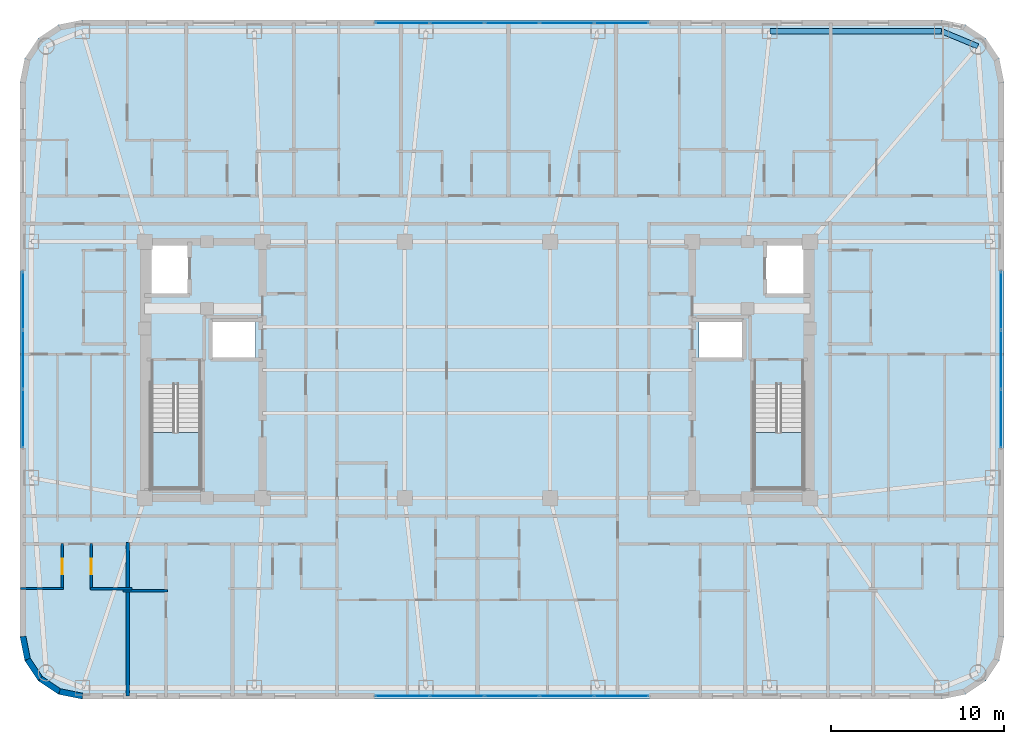
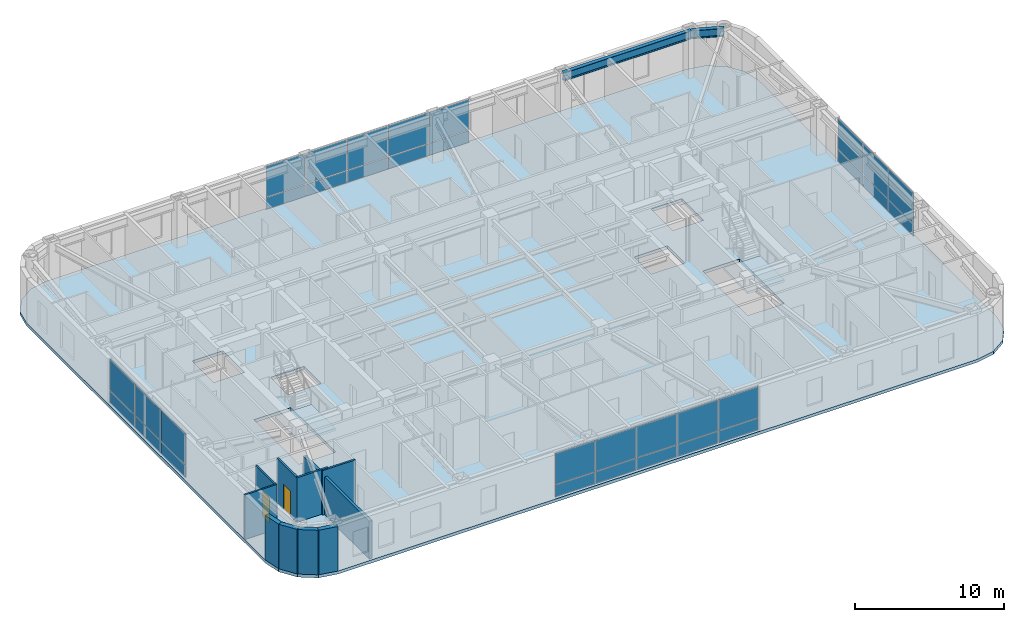
# One storey, part 20 of 29: 32 plates, 10 walls, 3 slabs, 2 beams, 2 doors, 2 openings, 6 elements without a shape of their own.
"""IFC4 building model written with IfcOpenShell, lengths in metres."""

from ifc_helpers import new_model, si_unit, direction, frame, frame_2d, origin, origin_2d, place, context, subcontext, project, spatial, polyline, rectangle, i_section, outline, extrude, material, layer, layer_set, material_profile, profile_set, type_object, element, fill, aggregate, save


model = new_model("IFC4")

# Units and contexts
model_context = context("Model", 3, precision=1e-05, world=origin(), true_north=direction((0.0, 1.0)))
body_context = subcontext(model_context, "Body", "Model", "MODEL_VIEW")
ifc_project = project(units=[si_unit("LENGTHUNIT", "METRE"), si_unit("AREAUNIT", "SQUARE_METRE"), si_unit("VOLUMEUNIT", "CUBIC_METRE"), si_unit("PLANEANGLEUNIT", "RADIAN"), si_unit("MASSUNIT", "GRAM", prefix="KILO")], contexts=[model_context])

# Site, building, storey
site_placement = place(None, origin())
site = spatial("IfcSite", under=ifc_project, at=site_placement, CompositionType="ELEMENT")
building_placement = place(site_placement, origin())
building = spatial("IfcBuilding", under=site, at=building_placement, Name="Voryun Gate Residences", CompositionType="ELEMENT")
storey_placement = place(building_placement, frame((0.0, 0.0, 211.89990234375)))
storey = spatial("IfcBuildingStorey", under=building, at=storey_placement, Name="L52", CompositionType="ELEMENT", Elevation=211.89990234375)

# Beams
ifc_material_1 = material(Name="Steel SM355", Category="steel")
ifc_material_profile = material_profile(ifc_material_1, i_section(OverallWidth=0.300048828125, OverallDepth=0.679931640625, WebThickness=0.013916015625, FlangeThickness=0.02490234375, FilletRadius=0.01806640625, at=origin_2d()), Name="H-680x300x14x25")
ifc_profile_set = profile_set([ifc_material_profile], Name="Steel SM355")
beam_type = type_object("IfcBeamType", Name="BM_EXO_SPANDREL_M", PredefinedType="SPANDREL", material=ifc_profile_set)
beam_1_placement = place(storey_placement, frame((28.885986328125, 18.68603515625, 3.31005859375), z_axis=(-0.923881087602, 0.382679678022, 0.0), x_axis=(-0.382679678022, -0.923881087602, 0.0)))
element("IfcBeam", 1, at=beam_1_placement, inside=storey, type_object=beam_type, Name="BM-L52-SPAND-10", PredefinedType="SPANDREL", context=body_context, shape_type="SweptSolid", body=[
    extrude(i_section(OverallWidth=0.300048828125, OverallDepth=0.679931640625, WebThickness=0.013916015625, FlangeThickness=0.02490234375, FilletRadius=0.01806640625, at=origin_2d()), origin(), (0.0, 0.0, 1.0), 2.2578125),
])
beam_2_placement = place(storey_placement, frame((26.800048828125, 19.550048828125, 3.31005859375), z_axis=(-1.0, 0.0, 0.0), x_axis=(0.0, -1.0, 0.0)))
element("IfcBeam", 2, at=beam_2_placement, inside=storey, type_object=beam_type, Name="BM-L52-SPAND-11", PredefinedType="SPANDREL", context=body_context, shape_type="SweptSolid", body=[
    extrude(i_section(OverallWidth=0.300048828125, OverallDepth=0.679931640625, WebThickness=0.013916015625, FlangeThickness=0.02490234375, FilletRadius=0.01806640625, at=origin_2d()), origin(), (0.0, 0.0, 1.0), 9.920166015625),
])

# Curtain wall, plates
ifc_material_2 = material(Name="Anodised aluminium", Category="aluminium")
ifc_layer_1 = layer(ifc_material_2, 0.18994140625, Name="CW_SYS_RES_B_DARK_GLASS")
ifc_layer_set_1 = layer_set([ifc_layer_1], Name="Anodised aluminium")
curtain_wall_type = type_object("IfcCurtainWallType", Name="CW_SYS_RES_B_DARK_GLASS", PredefinedType="NOTDEFINED", material=ifc_layer_set_1)
curtain_wall_1_placement = place(storey_placement, origin())
curtain_wall_1 = element("IfcCurtainWall", 3, at=curtain_wall_1_placement, inside=storey, type_object=curtain_wall_type, Name="Curtain wall CWT-L52-01", PredefinedType="NOTDEFINED")
ifc_material_3 = material(Name="Laminated low-E glass", Category="glass")
ifc_layer_2 = layer(ifc_material_3, 0.0439453125, Name="PLT_GLASS_DARK_RES")
ifc_layer_set_2 = layer_set([ifc_layer_2], Name="Laminated low-E glass")
plate_type = type_object("IfcPlateType", Name="PLT_GLASS_DARK_RES", PredefinedType="CURTAIN_PANEL", material=ifc_layer_set_2)
plate_1_placement = place(storey_placement, frame((8.32958984375, -18.830078125, 0.06005859375), z_axis=(0.0, 0.0, 1.0), x_axis=(-1.0, 0.0, 0.0)))
plate_1 = element("IfcPlate", 4, at=plate_1_placement, type_object=plate_type, Name="CW4 panel 1.1", PredefinedType="CURTAIN_PANEL", context=body_context, shape_type="SweptSolid", body=[
    extrude(rectangle(XDim=3.082275390625, YDim=0.028076171875, at=origin_2d()), origin(), (0.0, 0.0, 1.0), 0.9599609375),
])
plate_2_placement = place(storey_placement, frame((8.32958984375, -18.830078125, 1.080078125), z_axis=(0.0, 0.0, 1.0), x_axis=(-1.0, 0.0, 0.0)))
plate_2 = element("IfcPlate", 5, at=plate_2_placement, type_object=plate_type, Name="CW4 panel 1.2", PredefinedType="CURTAIN_PANEL", context=body_context, shape_type="SweptSolid", body=[
    extrude(rectangle(XDim=3.082275390625, YDim=0.028076171875, at=origin_2d()), origin(), (0.0, 0.0, 1.0), 2.510009765625),
])
plate_3_placement = place(storey_placement, frame((5.17236328125, -18.830078125, 0.06005859375), z_axis=(0.0, 0.0, 1.0), x_axis=(-1.0, 0.0, 0.0)))
plate_3 = element("IfcPlate", 6, at=plate_3_placement, type_object=plate_type, Name="CW4 panel 2.1", PredefinedType="CURTAIN_PANEL", context=body_context, shape_type="SweptSolid", body=[
    extrude(rectangle(XDim=3.1123046875, YDim=0.028076171875, at=origin_2d()), origin(), (0.0, 0.0, 1.0), 0.9599609375),
])
plate_4_placement = place(storey_placement, frame((5.17236328125, -18.830078125, 1.080078125), z_axis=(0.0, 0.0, 1.0), x_axis=(-1.0, 0.0, 0.0)))
plate_4 = element("IfcPlate", 7, at=plate_4_placement, type_object=plate_type, Name="CW4 panel 2.2", PredefinedType="CURTAIN_PANEL", context=body_context, shape_type="SweptSolid", body=[
    extrude(rectangle(XDim=3.1123046875, YDim=0.028076171875, at=origin_2d()), origin(), (0.0, 0.0, 1.0), 2.510009765625),
])
plate_5_placement = place(storey_placement, frame((2.0, -18.830078125, 0.06005859375), z_axis=(0.0, 0.0, 1.0), x_axis=(-1.0, 0.0, 0.0)))
plate_5 = element("IfcPlate", 8, at=plate_5_placement, type_object=plate_type, Name="CW4 panel 3.1", PredefinedType="CURTAIN_PANEL", context=body_context, shape_type="SweptSolid", body=[
    extrude(rectangle(XDim=3.1123046875, YDim=0.028076171875, at=origin_2d()), origin(), (0.0, 0.0, 1.0), 0.9599609375),
])
plate_6_placement = place(storey_placement, frame((2.0, -18.830078125, 1.080078125), z_axis=(0.0, 0.0, 1.0), x_axis=(-1.0, 0.0, 0.0)))
plate_6 = element("IfcPlate", 9, at=plate_6_placement, type_object=plate_type, Name="CW4 panel 3.2", PredefinedType="CURTAIN_PANEL", context=body_context, shape_type="SweptSolid", body=[
    extrude(rectangle(XDim=3.1123046875, YDim=0.028076171875, at=origin_2d()), origin(), (0.0, 0.0, 1.0), 2.510009765625),
])
plate_7_placement = place(storey_placement, frame((-1.17236328125, -18.830078125, 0.06005859375), z_axis=(0.0, 0.0, 1.0), x_axis=(-1.0, 0.0, 0.0)))
plate_7 = element("IfcPlate", 10, at=plate_7_placement, type_object=plate_type, Name="CW4 panel 4.1", PredefinedType="CURTAIN_PANEL", context=body_context, shape_type="SweptSolid", body=[
    extrude(rectangle(XDim=3.1123046875, YDim=0.028076171875, at=origin_2d()), origin(), (0.0, 0.0, 1.0), 0.9599609375),
])
plate_8_placement = place(storey_placement, frame((-1.17236328125, -18.830078125, 1.080078125), z_axis=(0.0, 0.0, 1.0), x_axis=(-1.0, 0.0, 0.0)))
plate_8 = element("IfcPlate", 11, at=plate_8_placement, type_object=plate_type, Name="CW4 panel 4.2", PredefinedType="CURTAIN_PANEL", context=body_context, shape_type="SweptSolid", body=[
    extrude(rectangle(XDim=3.1123046875, YDim=0.028076171875, at=origin_2d()), origin(), (0.0, 0.0, 1.0), 2.510009765625),
])
plate_9_placement = place(storey_placement, frame((-4.32958984375, -18.830078125, 0.06005859375), z_axis=(0.0, 0.0, 1.0), x_axis=(-1.0, 0.0, 0.0)))
plate_9 = element("IfcPlate", 12, at=plate_9_placement, type_object=plate_type, Name="CW4 panel 5.1", PredefinedType="CURTAIN_PANEL", context=body_context, shape_type="SweptSolid", body=[
    extrude(rectangle(XDim=3.082275390625, YDim=0.028076171875, at=origin_2d()), origin(), (0.0, 0.0, 1.0), 0.9599609375),
])
plate_10_placement = place(storey_placement, frame((-4.32958984375, -18.830078125, 1.080078125), z_axis=(0.0, 0.0, 1.0), x_axis=(-1.0, 0.0, 0.0)))
plate_10 = element("IfcPlate", 13, at=plate_10_placement, type_object=plate_type, Name="CW4 panel 5.2", PredefinedType="CURTAIN_PANEL", context=body_context, shape_type="SweptSolid", body=[
    extrude(rectangle(XDim=3.082275390625, YDim=0.028076171875, at=origin_2d()), origin(), (0.0, 0.0, 1.0), 2.510009765625),
])
aggregate(curtain_wall_1, [plate_1, plate_2, plate_3, plate_4, plate_5, plate_6, plate_7, plate_8, plate_9, plate_10])

curtain_wall_2_placement = place(storey_placement, origin())
curtain_wall_2 = element("IfcCurtainWall", 14, at=curtain_wall_2_placement, inside=storey, type_object=curtain_wall_type, Name="Curtain wall CWT-L52-06", PredefinedType="NOTDEFINED")
plate_11_placement = place(storey_placement, frame((-26.22998046875, -2.794921875, 0.06005859375), z_axis=(0.0, 0.0, 1.0), x_axis=(0.0, 1.0, 0.0)))
plate_11 = element("IfcPlate", 15, at=plate_11_placement, type_object=plate_type, Name="CW4 panel 1.1", PredefinedType="CURTAIN_PANEL", context=body_context, shape_type="SweptSolid", body=[
    extrude(rectangle(XDim=3.31982421875, YDim=0.028076171875, at=origin_2d()), origin(), (0.0, 0.0, 1.0), 0.9599609375),
])
plate_12_placement = place(storey_placement, frame((-26.22998046875, -2.794921875, 1.080078125), z_axis=(0.0, 0.0, 1.0), x_axis=(0.0, 1.0, 0.0)))
plate_12 = element("IfcPlate", 16, at=plate_12_placement, type_object=plate_type, Name="CW4 panel 1.2", PredefinedType="CURTAIN_PANEL", context=body_context, shape_type="SweptSolid", body=[
    extrude(rectangle(XDim=3.31982421875, YDim=0.028076171875, at=origin_2d()), origin(), (0.0, 0.0, 1.0), 2.510009765625),
])
plate_13_placement = place(storey_placement, frame((-26.22998046875, 0.60009765625, 0.06005859375), z_axis=(0.0, 0.0, 1.0), x_axis=(0.0, 1.0, 0.0)))
plate_13 = element("IfcPlate", 17, at=plate_13_placement, type_object=plate_type, Name="CW4 panel 2.1", PredefinedType="CURTAIN_PANEL", context=body_context, shape_type="SweptSolid", body=[
    extrude(rectangle(XDim=3.349853515625, YDim=0.028076171875, at=origin_2d()), origin(), (0.0, 0.0, 1.0), 0.9599609375),
])
plate_14_placement = place(storey_placement, frame((-26.22998046875, 0.60009765625, 1.080078125), z_axis=(0.0, 0.0, 1.0), x_axis=(0.0, 1.0, 0.0)))
plate_14 = element("IfcPlate", 18, at=plate_14_placement, type_object=plate_type, Name="CW4 panel 2.2", PredefinedType="CURTAIN_PANEL", context=body_context, shape_type="SweptSolid", body=[
    extrude(rectangle(XDim=3.349853515625, YDim=0.028076171875, at=origin_2d()), origin(), (0.0, 0.0, 1.0), 2.510009765625),
])
plate_15_placement = place(storey_placement, frame((-26.22998046875, 3.994873046875, 0.06005859375), z_axis=(0.0, 0.0, 1.0), x_axis=(0.0, 1.0, 0.0)))
plate_15 = element("IfcPlate", 19, at=plate_15_placement, type_object=plate_type, Name="CW4 panel 3.1", PredefinedType="CURTAIN_PANEL", context=body_context, shape_type="SweptSolid", body=[
    extrude(rectangle(XDim=3.31982421875, YDim=0.028076171875, at=origin_2d()), origin(), (0.0, 0.0, 1.0), 0.9599609375),
])
plate_16_placement = place(storey_placement, frame((-26.22998046875, 3.994873046875, 1.080078125), z_axis=(0.0, 0.0, 1.0), x_axis=(0.0, 1.0, 0.0)))
plate_16 = element("IfcPlate", 20, at=plate_16_placement, type_object=plate_type, Name="CW4 panel 3.2", PredefinedType="CURTAIN_PANEL", context=body_context, shape_type="SweptSolid", body=[
    extrude(rectangle(XDim=3.31982421875, YDim=0.028076171875, at=origin_2d()), origin(), (0.0, 0.0, 1.0), 2.510009765625),
])
aggregate(curtain_wall_2, [plate_11, plate_12, plate_13, plate_14, plate_15, plate_16])

curtain_wall_3_placement = place(storey_placement, origin())
curtain_wall_3 = element("IfcCurtainWall", 21, at=curtain_wall_3_placement, inside=storey, type_object=curtain_wall_type, Name="Curtain wall CWT-L52-11", PredefinedType="NOTDEFINED")
plate_17_placement = place(storey_placement, frame((-4.32958984375, 20.030029296875, 0.06005859375), z_axis=(0.0, 0.0, 1.0), x_axis=(1.0, 0.0, 0.0)))
plate_17 = element("IfcPlate", 22, at=plate_17_placement, type_object=plate_type, Name="CW4 panel 1.1", PredefinedType="CURTAIN_PANEL", context=body_context, shape_type="SweptSolid", body=[
    extrude(rectangle(XDim=3.082275390625, YDim=0.028076171875, at=origin_2d()), origin(), (0.0, 0.0, 1.0), 0.9599609375),
])
plate_18_placement = place(storey_placement, frame((-4.32958984375, 20.030029296875, 1.080078125), z_axis=(0.0, 0.0, 1.0), x_axis=(1.0, 0.0, 0.0)))
plate_18 = element("IfcPlate", 23, at=plate_18_placement, type_object=plate_type, Name="CW4 panel 1.2", PredefinedType="CURTAIN_PANEL", context=body_context, shape_type="SweptSolid", body=[
    extrude(rectangle(XDim=3.082275390625, YDim=0.028076171875, at=origin_2d()), origin(), (0.0, 0.0, 1.0), 2.510009765625),
])
plate_19_placement = place(storey_placement, frame((-1.17236328125, 20.030029296875, 0.06005859375), z_axis=(0.0, 0.0, 1.0), x_axis=(1.0, 0.0, 0.0)))
plate_19 = element("IfcPlate", 24, at=plate_19_placement, type_object=plate_type, Name="CW4 panel 2.1", PredefinedType="CURTAIN_PANEL", context=body_context, shape_type="SweptSolid", body=[
    extrude(rectangle(XDim=3.1123046875, YDim=0.028076171875, at=origin_2d()), origin(), (0.0, 0.0, 1.0), 0.9599609375),
])
plate_20_placement = place(storey_placement, frame((-1.17236328125, 20.030029296875, 1.080078125), z_axis=(0.0, 0.0, 1.0), x_axis=(1.0, 0.0, 0.0)))
plate_20 = element("IfcPlate", 25, at=plate_20_placement, type_object=plate_type, Name="CW4 panel 2.2", PredefinedType="CURTAIN_PANEL", context=body_context, shape_type="SweptSolid", body=[
    extrude(rectangle(XDim=3.1123046875, YDim=0.028076171875, at=origin_2d()), origin(), (0.0, 0.0, 1.0), 2.510009765625),
])
plate_21_placement = place(storey_placement, frame((2.0, 20.030029296875, 0.06005859375), z_axis=(0.0, 0.0, 1.0), x_axis=(1.0, 0.0, 0.0)))
plate_21 = element("IfcPlate", 26, at=plate_21_placement, type_object=plate_type, Name="CW4 panel 3.1", PredefinedType="CURTAIN_PANEL", context=body_context, shape_type="SweptSolid", body=[
    extrude(rectangle(XDim=3.1123046875, YDim=0.028076171875, at=origin_2d()), origin(), (0.0, 0.0, 1.0), 0.9599609375),
])
plate_22_placement = place(storey_placement, frame((2.0, 20.030029296875, 1.080078125), z_axis=(0.0, 0.0, 1.0), x_axis=(1.0, 0.0, 0.0)))
plate_22 = element("IfcPlate", 27, at=plate_22_placement, type_object=plate_type, Name="CW4 panel 3.2", PredefinedType="CURTAIN_PANEL", context=body_context, shape_type="SweptSolid", body=[
    extrude(rectangle(XDim=3.1123046875, YDim=0.028076171875, at=origin_2d()), origin(), (0.0, 0.0, 1.0), 2.510009765625),
])
plate_23_placement = place(storey_placement, frame((5.17236328125, 20.030029296875, 0.06005859375), z_axis=(0.0, 0.0, 1.0), x_axis=(1.0, 0.0, 0.0)))
plate_23 = element("IfcPlate", 28, at=plate_23_placement, type_object=plate_type, Name="CW4 panel 4.1", PredefinedType="CURTAIN_PANEL", context=body_context, shape_type="SweptSolid", body=[
    extrude(rectangle(XDim=3.1123046875, YDim=0.028076171875, at=origin_2d()), origin(), (0.0, 0.0, 1.0), 0.9599609375),
])
plate_24_placement = place(storey_placement, frame((5.17236328125, 20.030029296875, 1.080078125), z_axis=(0.0, 0.0, 1.0), x_axis=(1.0, 0.0, 0.0)))
plate_24 = element("IfcPlate", 29, at=plate_24_placement, type_object=plate_type, Name="CW4 panel 4.2", PredefinedType="CURTAIN_PANEL", context=body_context, shape_type="SweptSolid", body=[
    extrude(rectangle(XDim=3.1123046875, YDim=0.028076171875, at=origin_2d()), origin(), (0.0, 0.0, 1.0), 2.510009765625),
])
plate_25_placement = place(storey_placement, frame((8.32958984375, 20.030029296875, 0.06005859375), z_axis=(0.0, 0.0, 1.0), x_axis=(1.0, 0.0, 0.0)))
plate_25 = element("IfcPlate", 30, at=plate_25_placement, type_object=plate_type, Name="CW4 panel 5.1", PredefinedType="CURTAIN_PANEL", context=body_context, shape_type="SweptSolid", body=[
    extrude(rectangle(XDim=3.082275390625, YDim=0.028076171875, at=origin_2d()), origin(), (0.0, 0.0, 1.0), 0.9599609375),
])
plate_26_placement = place(storey_placement, frame((8.32958984375, 20.030029296875, 1.080078125), z_axis=(0.0, 0.0, 1.0), x_axis=(1.0, 0.0, 0.0)))
plate_26 = element("IfcPlate", 31, at=plate_26_placement, type_object=plate_type, Name="CW4 panel 5.2", PredefinedType="CURTAIN_PANEL", context=body_context, shape_type="SweptSolid", body=[
    extrude(rectangle(XDim=3.082275390625, YDim=0.028076171875, at=origin_2d()), origin(), (0.0, 0.0, 1.0), 2.510009765625),
])
aggregate(curtain_wall_3, [plate_17, plate_18, plate_19, plate_20, plate_21, plate_22, plate_23, plate_24, plate_25, plate_26])

curtain_wall_4_placement = place(storey_placement, origin())
curtain_wall_4 = element("IfcCurtainWall", 32, at=curtain_wall_4_placement, inside=storey, type_object=curtain_wall_type, Name="Curtain wall CWT-L52-16", PredefinedType="NOTDEFINED")
plate_27_placement = place(storey_placement, frame((30.22998046875, 3.994873046875, 0.06005859375), z_axis=(0.0, 0.0, 1.0), x_axis=(0.0, -1.0, 0.0)))
plate_27 = element("IfcPlate", 33, at=plate_27_placement, type_object=plate_type, Name="CW4 panel 1.1", PredefinedType="CURTAIN_PANEL", context=body_context, shape_type="SweptSolid", body=[
    extrude(rectangle(XDim=3.31982421875, YDim=0.028076171875, at=origin_2d()), origin(), (0.0, 0.0, 1.0), 0.9599609375),
])
plate_28_placement = place(storey_placement, frame((30.22998046875, 3.994873046875, 1.080078125), z_axis=(0.0, 0.0, 1.0), x_axis=(0.0, -1.0, 0.0)))
plate_28 = element("IfcPlate", 34, at=plate_28_placement, type_object=plate_type, Name="CW4 panel 1.2", PredefinedType="CURTAIN_PANEL", context=body_context, shape_type="SweptSolid", body=[
    extrude(rectangle(XDim=3.31982421875, YDim=0.028076171875, at=origin_2d()), origin(), (0.0, 0.0, 1.0), 2.510009765625),
])
plate_29_placement = place(storey_placement, frame((30.22998046875, 0.60009765625, 0.06005859375), z_axis=(0.0, 0.0, 1.0), x_axis=(0.0, -1.0, 0.0)))
plate_29 = element("IfcPlate", 35, at=plate_29_placement, type_object=plate_type, Name="CW4 panel 2.1", PredefinedType="CURTAIN_PANEL", context=body_context, shape_type="SweptSolid", body=[
    extrude(rectangle(XDim=3.349853515625, YDim=0.028076171875, at=origin_2d()), origin(), (0.0, 0.0, 1.0), 0.9599609375),
])
plate_30_placement = place(storey_placement, frame((30.22998046875, 0.60009765625, 1.080078125), z_axis=(0.0, 0.0, 1.0), x_axis=(0.0, -1.0, 0.0)))
plate_30 = element("IfcPlate", 36, at=plate_30_placement, type_object=plate_type, Name="CW4 panel 2.2", PredefinedType="CURTAIN_PANEL", context=body_context, shape_type="SweptSolid", body=[
    extrude(rectangle(XDim=3.349853515625, YDim=0.028076171875, at=origin_2d()), origin(), (0.0, 0.0, 1.0), 2.510009765625),
])
plate_31_placement = place(storey_placement, frame((30.22998046875, -2.794921875, 0.06005859375), z_axis=(0.0, 0.0, 1.0), x_axis=(0.0, -1.0, 0.0)))
plate_31 = element("IfcPlate", 37, at=plate_31_placement, type_object=plate_type, Name="CW4 panel 3.1", PredefinedType="CURTAIN_PANEL", context=body_context, shape_type="SweptSolid", body=[
    extrude(rectangle(XDim=3.31982421875, YDim=0.028076171875, at=origin_2d()), origin(), (0.0, 0.0, 1.0), 0.9599609375),
])
plate_32_placement = place(storey_placement, frame((30.22998046875, -2.794921875, 1.080078125), z_axis=(0.0, 0.0, 1.0), x_axis=(0.0, -1.0, 0.0)))
plate_32 = element("IfcPlate", 38, at=plate_32_placement, type_object=plate_type, Name="CW4 panel 3.2", PredefinedType="CURTAIN_PANEL", context=body_context, shape_type="SweptSolid", body=[
    extrude(rectangle(XDim=3.31982421875, YDim=0.028076171875, at=origin_2d()), origin(), (0.0, 0.0, 1.0), 2.510009765625),
])
aggregate(curtain_wall_4, [plate_27, plate_28, plate_29, plate_30, plate_31, plate_32])

# Slab
ifc_material_4 = material(Name="Concrete C40/50", Category="concrete")
ifc_layer_3 = layer(ifc_material_4, 0.25, Name="SLB_RES_250")
ifc_layer_set_3 = layer_set([ifc_layer_3], Name="Concrete C40/50")
slab_type_1 = type_object("IfcSlabType", Name="SLB_RES_250", PredefinedType="FLOOR", material=ifc_layer_set_3)
slab_1_placement = place(storey_placement, frame((0.0, 0.0, -0.25)))
element("IfcSlab", 39, at=slab_1_placement, inside=storey, type_object=slab_type_1, Name="L52 Structural Floor Slab", PredefinedType="FLOOR", context=body_context, shape_type="SweptSolid", body=[
    extrude(outline(polyline([(-22.800048828125, -19.0), (-24.177734375, -18.72607421875), (-25.345458984375, -17.945556640625), (-26.1259765625, -16.777587890625), (-26.39990234375, -15.39990234375), (-26.39990234375, 16.60009765625), (-26.1259765625, 17.9775390625), (-25.345458984375, 19.1455078125), (-24.177734375, 19.926025390625), (-22.800048828125, 20.199951171875), (26.800048828125, 20.199951171875), (28.177734375, 19.926025390625), (29.345458984375, 19.1455078125), (30.1259765625, 17.9775390625), (30.39990234375, 16.60009765625), (30.39990234375, -15.39990234375), (30.1259765625, -16.777587890625), (29.345458984375, -17.945556640625), (28.177734375, -18.72607421875), (26.800048828125, -19.0), (-22.800048828125, -19.0)]), holes=[polyline([(-15.97509765625, -0.840087890625), (-18.824951171875, -0.840087890625), (-18.824951171875, -6.85009765625), (-15.97509765625, -6.85009765625), (-15.97509765625, -0.840087890625)]), polyline([(18.824951171875, -6.85009765625), (18.824951171875, -0.840087890625), (15.97509765625, -0.840087890625), (15.97509765625, -6.85009765625), (18.824951171875, -6.85009765625)]), polyline([(-12.800048828125, 2.89990234375), (-15.39990234375, 2.89990234375), (-15.39990234375, 0.60009765625), (-12.800048828125, 0.60009765625), (-12.800048828125, 2.89990234375)]), polyline([(12.800048828125, 2.89990234375), (12.800048828125, 0.60009765625), (15.39990234375, 0.60009765625), (15.39990234375, 2.89990234375), (12.800048828125, 2.89990234375)]), polyline([(-16.60009765625, 7.199951171875), (-19.0, 7.199951171875), (-19.0, 4.300048828125), (-16.60009765625, 4.300048828125), (-16.60009765625, 7.199951171875)]), polyline([(19.0, 7.199951171875), (16.60009765625, 7.199951171875), (16.60009765625, 4.300048828125), (19.0, 4.300048828125), (19.0, 7.199951171875)])]), origin(), (0.0, 0.0, 1.0), 0.25),
])

# Stair, slab
ifc_material_5 = material(Name="Concrete C40/50", Category="concrete")
stair_type = type_object("IfcStairType", Name="STR_CORE_DOGLEG_1350", PredefinedType="HALF_TURN_STAIR", material=ifc_material_5)
stair_1_placement = place(storey_placement, origin())
stair_1 = element("IfcStair", 40, at=stair_1_placement, inside=storey, type_object=stair_type, Name="L52 Special Escape Stair ST-W1", PredefinedType="HALF_TURN_STAIR")
ifc_material_6 = material(Name="Concrete C40/50", Category="concrete")
ifc_layer_4 = layer(ifc_material_6, 0.199951171875, Name="SLB_STAIR_LANDING_200")
ifc_layer_set_4 = layer_set([ifc_layer_4], Name="Concrete C40/50")
slab_type_2 = type_object("IfcSlabType", Name="SLB_STAIR_LANDING_200", PredefinedType="LANDING", material=ifc_layer_set_4)
slab_2_placement = place(storey_placement, frame((0.0, 0.0, 1.75)))
slab_2 = element("IfcSlab", 41, at=slab_2_placement, type_object=slab_type_2, Name="ST-W1 landing 1", PredefinedType="LANDING", context=body_context, shape_type="SweptSolid", body=[
    extrude(outline(polyline([(-18.824951171875, -3.60009765625), (-18.824951171875, -6.85009765625), (-15.97509765625, -6.85009765625), (-15.97509765625, -3.60009765625), (-18.824951171875, -3.60009765625)])), origin(), (0.0, 0.0, 1.0), 0.2001953125),
])
aggregate(stair_1, [slab_2])

stair_2_placement = place(storey_placement, origin())
stair_2 = element("IfcStair", 42, at=stair_2_placement, inside=storey, type_object=stair_type, Name="L52 Special Escape Stair ST-E1", PredefinedType="HALF_TURN_STAIR")
slab_3_placement = place(storey_placement, frame((0.0, 0.0, 1.75)))
slab_3 = element("IfcSlab", 43, at=slab_3_placement, type_object=slab_type_2, Name="ST-E1 landing 1", PredefinedType="LANDING", context=body_context, shape_type="SweptSolid", body=[
    extrude(outline(polyline([(15.97509765625, -3.60009765625), (15.97509765625, -6.85009765625), (18.824951171875, -6.85009765625), (18.824951171875, -3.60009765625), (15.97509765625, -3.60009765625)])), origin(), (0.0, 0.0, 1.0), 0.2001953125),
])
aggregate(stair_2, [slab_3])

# Walls
ifc_material_7 = material(Name="Charcoal terracotta masonry", Category="masonry")
ifc_layer_5 = layer(ifc_material_7, 0.340087890625, Name="W_EXT_TERRACOTTA_340")
ifc_layer_set_5 = layer_set([ifc_layer_5], Name="Charcoal terracotta masonry")
wall_type_1 = type_object("IfcWallType", Name="W_EXT_TERRACOTTA_340", PredefinedType="ELEMENTEDWALL", material=ifc_layer_set_5)
wall_1_placement = place(storey_placement, frame((-22.783203125, -18.830078125, 0.0), z_axis=(0.0, 0.0, 1.0), x_axis=(-0.980788153188, 0.195075878998, 0.0)))
element("IfcWall", 44, at=wall_1_placement, inside=storey, type_object=wall_type_1, Name="Exterior wall WEXT-L52-02", PredefinedType="ELEMENTEDWALL", context=body_context, shape_type="SweptSolid", body=[
    extrude(rectangle(XDim=1.354248046875, YDim=0.340087890625, at=frame_2d((0.67724609375, 0.0))), origin(), (0.0, 0.0, 1.0), 3.650146484375),
])
wall_2_placement = place(storey_placement, frame((-24.111328125, -18.56591796875, 0.0), z_axis=(0.0, 0.0, 1.0), x_axis=(-0.831403586725, 0.555669034571, 0.0)))
element("IfcWall", 45, at=wall_2_placement, inside=storey, type_object=wall_type_1, Name="Exterior wall WEXT-L52-03", PredefinedType="ELEMENTEDWALL", context=body_context, shape_type="SweptSolid", body=[
    extrude(rectangle(XDim=1.3369140625, YDim=0.340087890625, at=frame_2d((0.66845703125, 0.0))), origin(), (0.0, 0.0, 1.0), 3.650146484375),
])
wall_3_placement = place(storey_placement, frame((-25.222900390625, -17.822998046875, 0.0), z_axis=(0.0, 0.0, 1.0), x_axis=(-0.555584683399, 0.831459956686, 0.0)))
element("IfcWall", 46, at=wall_3_placement, inside=storey, type_object=wall_type_1, Name="Exterior wall WEXT-L52-04", PredefinedType="ELEMENTEDWALL", context=body_context, shape_type="SweptSolid", body=[
    extrude(rectangle(XDim=1.337158203125, YDim=0.340087890625, at=frame_2d((0.66845703125, 0.0))), origin(), (0.0, 0.0, 1.0), 3.650146484375),
])
wall_4_placement = place(storey_placement, frame((-25.9658203125, -16.711181640625, 0.0), z_axis=(0.0, 0.0, 1.0), x_axis=(-0.195110379894, 0.98078129043, 0.0)))
element("IfcWall", 47, at=wall_4_placement, inside=storey, type_object=wall_type_1, Name="Exterior wall WEXT-L52-05", PredefinedType="ELEMENTEDWALL", context=body_context, shape_type="SweptSolid", body=[
    extrude(rectangle(XDim=1.35400390625, YDim=0.340087890625, at=frame_2d((0.677001953125, 0.0))), origin(), (0.0, 0.0, 1.0), 3.650146484375),
])
ifc_material_8 = material(Name="Concrete C40/50", Category="concrete")
ifc_layer_6 = layer(ifc_material_8, 0.219970703125, Name="W_PARTY_ACOUSTIC_220")
ifc_layer_set_6 = layer_set([ifc_layer_6], Name="Concrete C40/50")
wall_type_2 = type_object("IfcWallType", Name="W_PARTY_ACOUSTIC_220", PredefinedType="PARTITIONING", material=ifc_layer_set_6)
wall_5_placement = place(storey_placement, frame((-20.18505859375, -18.830078125, 0.0), z_axis=(0.0, 0.0, 1.0), x_axis=(0.0, 1.0, 0.0)))
element("IfcWall", 48, at=wall_5_placement, inside=storey, type_object=wall_type_2, Name="Partition wall WP-L52-SPTY-1", PredefinedType="PARTITIONING", context=body_context, shape_type="SweptSolid", body=[
    extrude(rectangle(XDim=8.860107421875, YDim=0.219970703125, at=frame_2d((4.43017578125, 0.0))), origin(), (0.0, 0.0, 1.0), 3.090087890625),
])

# Wall, opening, door
ifc_material_9 = material(Name="Gypsum acoustic partition")
ifc_layer_7 = layer(ifc_material_9, 0.125, Name="W_UNIT_PART_125")
ifc_layer_set_7 = layer_set([ifc_layer_7], Name="Gypsum acoustic partition")
wall_type_3 = type_object("IfcWallType", Name="W_UNIT_PART_125", PredefinedType="PARTITIONING", material=ifc_layer_set_7)
wall_6_placement = place(storey_placement, frame((-23.9599609375, -12.679931640625, 0.0), z_axis=(0.0, 0.0, 1.0), x_axis=(0.0, 1.0, 0.0)))
wall_6 = element("IfcWall", 49, at=wall_6_placement, inside=storey, type_object=wall_type_3, Name="Partition wall WP-L52-S1-CVK", PredefinedType="PARTITIONING", context=body_context, shape_type="SweptSolid", body=[
    extrude(rectangle(XDim=2.64990234375, YDim=0.125, at=frame_2d((1.324951171875, 0.0))), origin(), (0.0, 0.0, 1.0), 3.650146484375),
])
opening_1_placement = place(wall_6_placement, frame((0.875, 0.0, 0.0)))
opening_1 = element("IfcOpeningElement", 50, at=opening_1_placement, cuts=wall_6, Name="Opening D-INT-2", PredefinedType="OPENING", context=body_context, shape_type="SweptSolid", body=[
    extrude(rectangle(XDim=0.89990234375, YDim=2.050048828125, at=frame_2d((0.449951171875, 1.02490234375))), frame((0.0, 0.072509765625, 0.0), z_axis=(0.0, -1.0, 0.0), x_axis=(1.0, 0.0, 0.0)), (0.0, 0.0, 1.0), 0.14501953125),
])
ifc_material_10 = material(Name="Architectural oak veneer")
door_type = type_object("IfcDoorType", Name="DR_INT_BATH_900", OperationType="NOTDEFINED", PredefinedType="DOOR", material=ifc_material_10)
door_1_placement = place(opening_1_placement, origin())
door_1 = element("IfcDoor", 51, at=door_1_placement, inside=storey, type_object=door_type, Name="Door DR-L52-S1-DK", OperationType="SINGLE_SWING_LEFT", OverallHeight=2.050048828125, OverallWidth=0.89990234375, PredefinedType="DOOR", context=body_context, shape_type="SweptSolid", body=[
    extrude(rectangle(XDim=0.89990234375, YDim=2.050048828125, at=frame_2d((0.449951171875, 1.02490234375))), frame((0.0, 0.02490234375, 0.0), z_axis=(0.0, -1.0, 0.0), x_axis=(1.0, 0.0, 0.0)), (0.0, 0.0, 1.0), 0.050048828125),
])
fill(opening_1, door_1)

# Wall
wall_7_placement = place(storey_placement, frame((-26.3798828125, -12.6201171875, 0.0), z_axis=(0.0, 0.0, 1.0), x_axis=(1.0, 0.0, 0.0)))
element("IfcWall", 52, at=wall_7_placement, inside=storey, type_object=wall_type_3, Name="Partition wall WP-L52-S1-CHK", PredefinedType="PARTITIONING", context=body_context, shape_type="SweptSolid", body=[
    extrude(rectangle(XDim=2.47998046875, YDim=0.125, at=frame_2d((1.239990234375, 0.0))), origin(), (0.0, 0.0, 1.0), 3.650146484375),
])

# Wall, opening, door
ifc_material_11 = material(Name="Gypsum moisture-resistant partition")
ifc_layer_8 = layer(ifc_material_11, 0.14990234375, Name="W_WET_PLUMB_150")
ifc_layer_set_8 = layer_set([ifc_layer_8], Name="Gypsum moisture-resistant partition")
wall_type_4 = type_object("IfcWallType", Name="W_WET_PLUMB_150", PredefinedType="PLUMBINGWALL", material=ifc_layer_set_8)
wall_8_placement = place(storey_placement, frame((-22.281982421875, -12.679931640625, 0.0), z_axis=(0.0, 0.0, 1.0), x_axis=(0.0, 1.0, 0.0)))
wall_8 = element("IfcWall", 53, at=wall_8_placement, inside=storey, type_object=wall_type_4, Name="Partition wall WP-L52-S1-CVB", PredefinedType="PLUMBINGWALL", context=body_context, shape_type="SweptSolid", body=[
    extrude(rectangle(XDim=2.64990234375, YDim=0.14990234375, at=frame_2d((1.324951171875, 0.0))), origin(), (0.0, 0.0, 1.0), 3.650146484375),
])
opening_2_placement = place(wall_8_placement, frame((0.875, 0.0, 0.0)))
opening_2 = element("IfcOpeningElement", 54, at=opening_2_placement, cuts=wall_8, Name="Opening D-INT-2", PredefinedType="OPENING", context=body_context, shape_type="SweptSolid", body=[
    extrude(rectangle(XDim=0.89990234375, YDim=2.050048828125, at=frame_2d((0.449951171875, 1.02490234375))), frame((0.0, 0.0849609375, 0.0), z_axis=(0.0, -1.0, 0.0), x_axis=(1.0, 0.0, 0.0)), (0.0, 0.0, 1.0), 0.169921875),
])
door_2_placement = place(opening_2_placement, origin())
door_2 = element("IfcDoor", 55, at=door_2_placement, inside=storey, type_object=door_type, Name="Door DR-L52-S1-DB", OperationType="SINGLE_SWING_RIGHT", OverallHeight=2.050048828125, OverallWidth=0.89990234375, PredefinedType="DOOR", context=body_context, shape_type="SweptSolid", body=[
    extrude(rectangle(XDim=0.89990234375, YDim=2.050048828125, at=frame_2d((0.449951171875, 1.02490234375))), frame((0.0, 0.02490234375, 0.0), z_axis=(0.0, -1.0, 0.0), x_axis=(1.0, 0.0, 0.0)), (0.0, 0.0, 1.0), 0.050048828125),
])
fill(opening_2, door_2)

# Walls
wall_9_placement = place(storey_placement, frame((-22.342041015625, -12.6201171875, 0.0), z_axis=(0.0, 0.0, 1.0), x_axis=(1.0, 0.0, 0.0)))
element("IfcWall", 56, at=wall_9_placement, inside=storey, type_object=wall_type_4, Name="Partition wall WP-L52-S1-CHB", PredefinedType="PLUMBINGWALL", context=body_context, shape_type="SweptSolid", body=[
    extrude(rectangle(XDim=2.4169921875, YDim=0.14990234375, at=frame_2d((1.20849609375, 0.0))), origin(), (0.0, 0.0, 1.0), 3.650146484375),
])
wall_10_placement = place(storey_placement, frame((-20.445068359375, -12.75, 0.0), z_axis=(0.0, 0.0, 1.0), x_axis=(1.0, 0.0, 0.0)))
element("IfcWall", 57, at=wall_10_placement, inside=storey, type_object=wall_type_4, Name="Partition wall WP-L52-S2-SKB", PredefinedType="PLUMBINGWALL", context=body_context, shape_type="SweptSolid", body=[
    extrude(rectangle(XDim=2.550048828125, YDim=0.14990234375, at=frame_2d((1.27490234375, 0.0))), origin(), (0.0, 0.0, 1.0), 3.650146484375),
])

save(model, "model.ifc")
